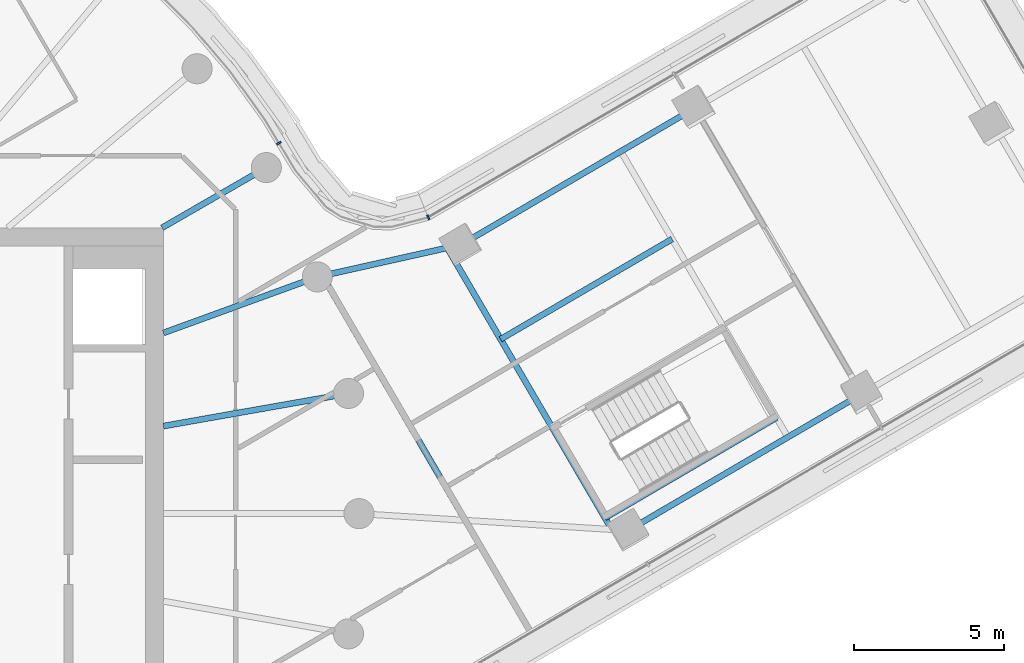
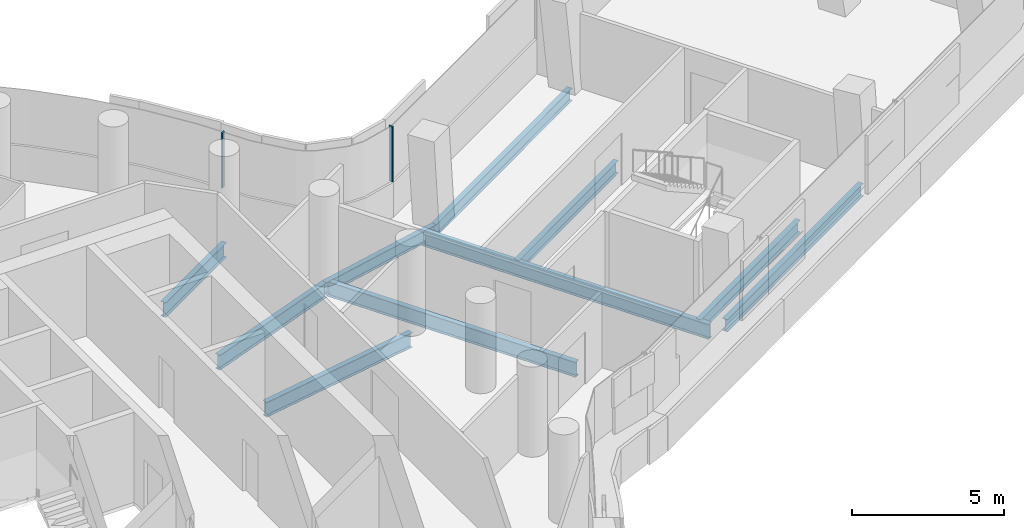
# One storey, part 12 of 35: 10 beams, 2 members, 1 element without a shape of its own.
"""IFC4 building model written with IfcOpenShell, lengths in metres."""

from ifc_helpers import new_model, si_unit, direction, frame, origin, origin_2d, place, context, subcontext, project, spatial, rectangle, i_section, extrude, material, layer, layer_set, material_profile, profile_set, type_object, element, aggregate, save


model = new_model("IFC4")

# Units and contexts
model_context = context("Model", 3, precision=1e-05, world=origin(), true_north=direction((0.0, 1.0)))
body_context = subcontext(model_context, "Body", "Model", "MODEL_VIEW")
ifc_project = project(units=[si_unit("LENGTHUNIT", "METRE"), si_unit("AREAUNIT", "SQUARE_METRE"), si_unit("VOLUMEUNIT", "CUBIC_METRE"), si_unit("PLANEANGLEUNIT", "RADIAN"), si_unit("MASSUNIT", "GRAM", prefix="KILO")], contexts=[model_context])

# Site, building, storey
site_placement = place(None, origin())
site = spatial("IfcSite", under=ifc_project, at=site_placement, CompositionType="ELEMENT")
building_placement = place(site_placement, origin())
building = spatial("IfcBuilding", under=site, at=building_placement, Name="Tamarind Cross Interchange Tower", CompositionType="ELEMENT")
storey_placement = place(building_placement, frame((0.0, 0.0, 144.25)))
storey = spatial("IfcBuildingStorey", under=building, at=storey_placement, Name="L35", CompositionType="ELEMENT", Elevation=144.25)

# Beams
ifc_material_1 = material(Name="Steel Q355B", Category="steel")
ifc_material_profile_1 = material_profile(ifc_material_1, i_section(OverallWidth=0.198974609375, OverallDepth=0.49609375, WebThickness=0.009033203125, FlangeThickness=0.013916015625, FilletRadius=0.012939453125, at=origin_2d()), Name="HN 496x199x9x14")
ifc_profile_set_1 = profile_set([ifc_material_profile_1], Name="Steel Q355B")
beam_type_1 = type_object("IfcBeamType", Name="Composite beam HN 496x199x9x14 Q355B", PredefinedType="BEAM", material=ifc_profile_set_1)
for number, where, z_axis, x_axis, name in (
    (1, (39.711669921875, 3.9794921875, -0.387939453125), (-0.863392968893, -0.504532041864, 0.0), (0.504532041864, -0.863392968893, 0.0), "Beam E-edgeem6"),
    (2, (34.162109375, 13.476806640625, -0.387939453125), (-0.863411690028, -0.504500003492, 0.0), (0.504500003492, -0.863411690028, 0.0), "Beam E-edgeep3"),
):
    element("IfcBeam", number, at=place(storey_placement, frame(where, z_axis=z_axis, x_axis=x_axis)), inside=storey, type_object=beam_type_1, Name=name, PredefinedType="BEAM", context=body_context, shape_type="SweptSolid", body=[
        extrude(i_section(OverallWidth=0.198974609375, OverallDepth=0.49609375, WebThickness=0.009033203125, FlangeThickness=0.013916015625, FilletRadius=0.012939453125, at=origin_2d()), origin(), (0.0, 0.0, 1.0), 9.0),
    ])
beam_1_placement = place(storey_placement, frame((26.391357421875, 8.936279296875, -0.387939453125), z_axis=(-0.975840919155, -0.218482265877, 0.0), x_axis=(0.218482265877, -0.975840919155, 0.0)))
element("IfcBeam", 3, at=beam_1_placement, inside=storey, type_object=beam_type_1, Name="Beam E-linkep", PredefinedType="BEAM", context=body_context, shape_type="SweptSolid", body=[
    extrude(i_section(OverallWidth=0.198974609375, OverallDepth=0.49609375, WebThickness=0.009033203125, FlangeThickness=0.013916015625, FilletRadius=0.012939453125, at=origin_2d()), origin(), (0.0, 0.0, 1.0), 4.896728515625),
])
for number, where, z_axis, x_axis, name in (
    (4, (31.174072265625, -0.140625, -0.387939453125), (0.863401659884, 0.504517168894, 0.0), (-0.504517168894, 0.863401659884, 0.0), "Beam E-tr0"),
    (5, (27.70556640625, 5.795166015625, -0.387939453125), (0.863401659884, 0.504517168894, 0.0), (-0.504517168894, 0.863401659884, 0.0), "Beam E-stripp"),
):
    element("IfcBeam", number, at=place(storey_placement, frame(where, z_axis=z_axis, x_axis=x_axis)), inside=storey, type_object=beam_type_1, Name=name, PredefinedType="BEAM", context=body_context, shape_type="SweptSolid", body=[
        extrude(i_section(OverallWidth=0.198974609375, OverallDepth=0.49609375, WebThickness=0.009033203125, FlangeThickness=0.013916015625, FilletRadius=0.012939453125, at=origin_2d()), origin(), (0.0, 0.0, 1.0), 6.60009765625),
    ])
ifc_material_profile_2 = material_profile(ifc_material_1, i_section(OverallWidth=0.198974609375, OverallDepth=0.595947265625, WebThickness=0.010009765625, FlangeThickness=0.014892578125, FilletRadius=0.012939453125, at=origin_2d()), Name="HN 596x199x10x15")
ifc_profile_set_2 = profile_set([ifc_material_profile_2], Name="Steel Q355B")
beam_type_2 = type_object("IfcBeamType", Name="Composite beam HN 596x199x10x15 Q355B", PredefinedType="BEAM", material=ifc_profile_set_2)
beam_2_placement = place(storey_placement, frame((22.650634765625, 3.993896484375, -0.43798828125), z_axis=(-0.984809127561, -0.173640382036, 0.0), x_axis=(0.173640382036, -0.984809127561, 0.0)))
element("IfcBeam", 6, at=beam_2_placement, inside=storey, type_object=beam_type_2, Name="Beam HH01", PredefinedType="BEAM", context=body_context, shape_type="SweptSolid", body=[
    extrude(i_section(OverallWidth=0.198974609375, OverallDepth=0.595947265625, WebThickness=0.010009765625, FlangeThickness=0.014892578125, FilletRadius=0.012939453125, at=origin_2d()), origin(), (0.0, 0.0, 1.0), 6.24560546875),
])
beam_3_placement = place(storey_placement, frame((21.613037109375, 7.866455078125, -0.43798828125), z_axis=(-0.939701685589, -0.341995236956, 0.0), x_axis=(0.341995236956, -0.939701685589, 0.0)))
element("IfcBeam", 7, at=beam_3_placement, inside=storey, type_object=beam_type_2, Name="Beam HH02", PredefinedType="BEAM", context=body_context, shape_type="SweptSolid", body=[
    extrude(i_section(OverallWidth=0.198974609375, OverallDepth=0.595947265625, WebThickness=0.010009765625, FlangeThickness=0.014892578125, FilletRadius=0.012939453125, at=origin_2d()), origin(), (0.0, 0.0, 1.0), 5.441162109375),
])
beam_4_placement = place(storey_placement, frame((19.918701171875, 11.5, -0.43798828125), z_axis=(-0.866026010844, -0.49999894854, 0.0), x_axis=(0.49999894854, -0.866026010844, 0.0)))
element("IfcBeam", 8, at=beam_4_placement, inside=storey, type_object=beam_type_2, Name="Beam HH03", PredefinedType="BEAM", context=body_context, shape_type="SweptSolid", body=[
    extrude(i_section(OverallWidth=0.198974609375, OverallDepth=0.595947265625, WebThickness=0.010009765625, FlangeThickness=0.014892578125, FilletRadius=0.012939453125, at=origin_2d()), origin(), (0.0, 0.0, 1.0), 4.0),
])
ifc_material_profile_3 = material_profile(ifc_material_1, i_section(OverallWidth=0.199951171875, OverallDepth=0.60009765625, WebThickness=0.010986328125, FlangeThickness=0.01708984375, FilletRadius=0.012939453125, at=origin_2d()), Name="HN 600x200x11x17")
ifc_profile_set_3 = profile_set([ifc_material_profile_3], Name="Steel Q355B")
beam_type_3 = type_object("IfcBeamType", Name="Composite beam HN 600x200x11x17 Q355B", PredefinedType="BEAM", material=ifc_profile_set_3)
beam_5_placement = place(storey_placement, frame((31.400146484375, -0.52734375, -0.43994140625), z_axis=(-0.504526162049, 0.863396404792, 0.0), x_axis=(-0.863396404792, -0.504526162049, 0.0)))
element("IfcBeam", 9, at=beam_5_placement, inside=storey, type_object=beam_type_3, Name="Beam E-x298", PredefinedType="BEAM", context=body_context, shape_type="SweptSolid", body=[
    extrude(i_section(OverallWidth=0.199951171875, OverallDepth=0.60009765625, WebThickness=0.010986328125, FlangeThickness=0.01708984375, FilletRadius=0.012939453125, at=origin_2d()), origin(), (0.0, 0.0, 1.0), 10.84130859375),
])
beam_6_placement = place(storey_placement, frame((26.53076171875, -0.2216796875, -0.43994140625), z_axis=(-0.504516036357, 0.863402321666, 0.0), x_axis=(-0.863402321666, -0.504516036357, 0.0)))
element("IfcBeam", 10, at=beam_6_placement, inside=storey, type_object=beam_type_3, Name="Beam E-x258", PredefinedType="BEAM", context=body_context, shape_type="SweptSolid", body=[
    extrude(i_section(OverallWidth=0.199951171875, OverallDepth=0.60009765625, WebThickness=0.010986328125, FlangeThickness=0.01708984375, FilletRadius=0.012939453125, at=origin_2d()), origin(), (0.0, 0.0, 1.0), 9.41162109375),
])

# Curtain wall, members
ifc_material_2 = material(Name="Aluminium 6063-T6", Category="aluminium")
ifc_layer = layer(ifc_material_2, 0.159912109375)
ifc_layer_set = layer_set([ifc_layer], Name="Aluminium 6063-T6")
curtain_wall_type = type_object("IfcCurtainWallType", Name="Office curtain wall, 9.0 m bays", PredefinedType="NOTDEFINED", material=ifc_layer_set)
curtain_wall_placement = place(storey_placement, origin())
curtain_wall = element("IfcCurtainWall", 11, at=curtain_wall_placement, inside=storey, type_object=curtain_wall_type, Name="CWS-L35-10", PredefinedType="NOTDEFINED")
ifc_material_profile_4 = material_profile(ifc_material_2, rectangle(XDim=0.06005859375, YDim=0.159912109375, at=origin_2d()), Name="Mullion CW1")
ifc_profile_set_4 = profile_set([ifc_material_profile_4], Name="Aluminium 6063-T6")
member_type = type_object("IfcMemberType", Name="Mullion CW1", PredefinedType="MULLION", material=ifc_profile_set_4)
member_1_placement = place(storey_placement, frame((25.300048828125, 9.84716796875, 1.39990234375), z_axis=(0.0, 0.0, 1.0), x_axis=(-0.924643142095, -0.380834688252, 0.0)))
member_1 = element("IfcMember", 12, at=member_1_placement, type_object=member_type, Name="CWM-L35-10-00", PredefinedType="MULLION", context=body_context, shape_type="SweptSolid", body=[
    extrude(rectangle(XDim=0.06005859375, YDim=0.159912109375, at=origin_2d()), origin(), (0.0, 0.0, 1.0), 2.210205078125),
])
member_2_placement = place(storey_placement, frame((20.33740234375, 12.315185546875, 1.39990234375), z_axis=(0.0, 0.0, 1.0), x_axis=(-0.515602205046, 0.856828084362, 0.0)))
member_2 = element("IfcMember", 13, at=member_2_placement, type_object=member_type, Name="CWM-L35-10-01", PredefinedType="MULLION", context=body_context, shape_type="SweptSolid", body=[
    extrude(rectangle(XDim=0.06005859375, YDim=0.159912109375, at=origin_2d()), origin(), (0.0, 0.0, 1.0), 2.210205078125),
])
aggregate(curtain_wall, [member_1, member_2])

save(model, "model.ifc")
